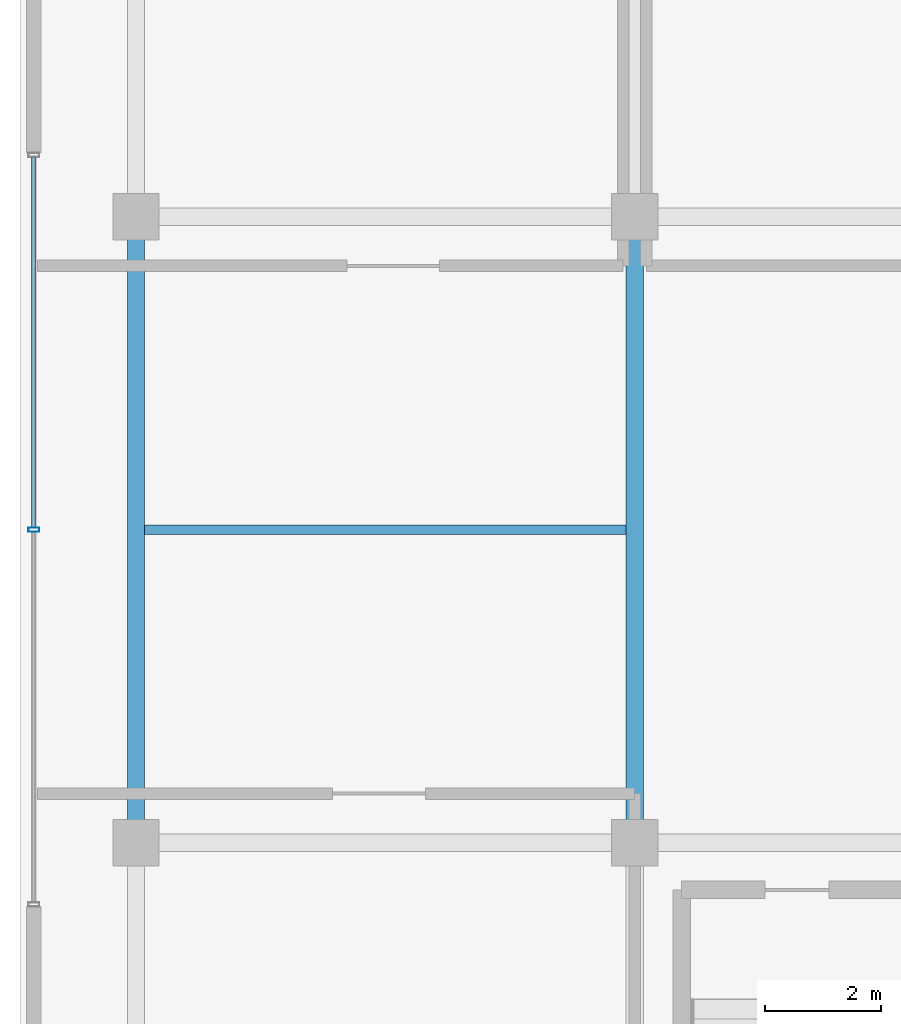
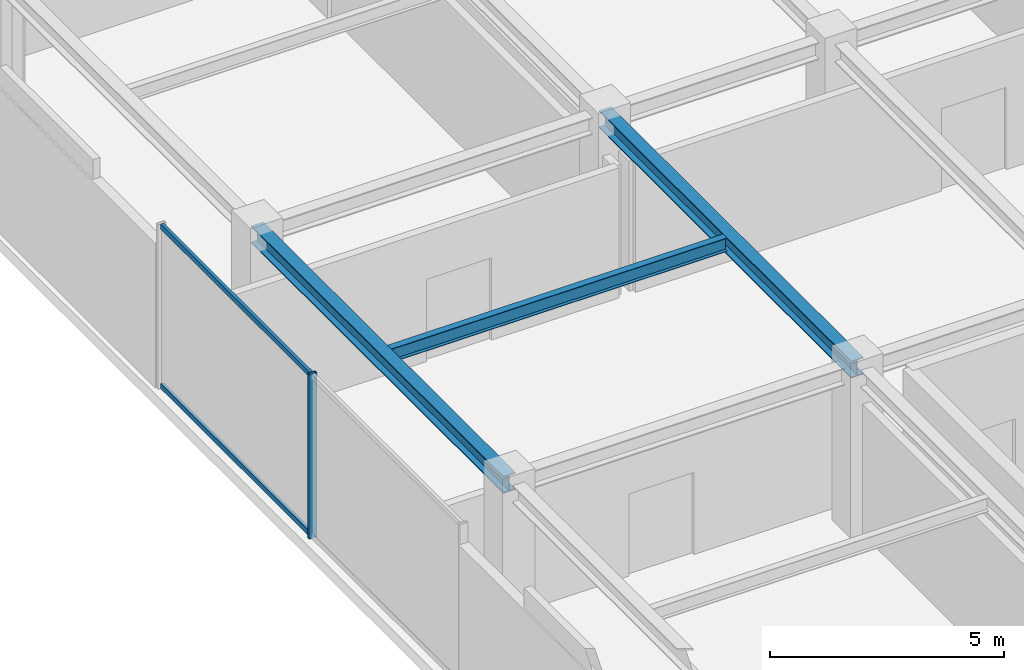
# One storey, part 6 of 18: 3 beams, 3 members, 1 element without a shape of its own.
"""IFC4 building model written with IfcOpenShell, lengths in metres."""

from ifc_helpers import new_model, si_unit, direction, frame, origin, origin_2d, place, context, subcontext, project, spatial, hollow_rectangle, i_section, extrude, source, transform, mapped, material, material_profile, profile_set, type_object, element, aggregate, save


model = new_model("IFC4")

# Units and contexts
model_context = context("Model", 3, precision=1e-05, world=origin(), true_north=direction((0.0, 1.0)))
body_context = subcontext(model_context, "Body", "Model", "MODEL_VIEW")
ifc_project = project(units=[si_unit("LENGTHUNIT", "METRE"), si_unit("AREAUNIT", "SQUARE_METRE"), si_unit("VOLUMEUNIT", "CUBIC_METRE"), si_unit("PLANEANGLEUNIT", "RADIAN"), si_unit("MASSUNIT", "GRAM", prefix="KILO")], contexts=[model_context])

# Site, building, storey
site_placement = place(None, origin())
site = spatial("IfcSite", under=ifc_project, at=site_placement, CompositionType="ELEMENT")
building_placement = place(site_placement, origin())
building = spatial("IfcBuilding", under=site, at=building_placement, Name="Nahalor Promenade Grand Hotel", CompositionType="ELEMENT")
storey_placement = place(building_placement, frame((0.0, 0.0, 366.25)))
storey = spatial("IfcBuildingStorey", under=building, at=storey_placement, Name="L93", CompositionType="ELEMENT", Elevation=366.25)

# Beams
ifc_material_1 = material(Name="Steel S355JR", Category="steel")
ifc_material_profile_1 = material_profile(ifc_material_1, i_section(OverallWidth=0.3, OverallDepth=0.45, WebThickness=0.014, FlangeThickness=0.026, at=origin_2d()), Name="HEB 450")
ifc_profile_set_1 = profile_set([ifc_material_profile_1], Name="Steel S355JR")
beam_type_1 = type_object("IfcBeamType", Name="Beam-Girder-HEB450", PredefinedType="BEAM", material=ifc_profile_set_1)
shared_shape_1 = source(origin(), body_context, "Body", "SweptSolid", [
    extrude(i_section(OverallWidth=0.3, OverallDepth=0.45, WebThickness=0.014, FlangeThickness=0.026, at=origin_2d()), origin(), (0.0, 0.0, 1.0), 10.7998046875),
])
for number, where, z_axis, x_axis, name in (
    (1, (-17.0, -5.39990234375, 4.074951171875), (0.0, 1.0, 0.0), (-1.0, 0.0, 0.0), "BM-L93-GY-0-1"),
    (2, (-8.39990234375, -5.39990234375, 4.074951171875), (0.0, 1.0, 0.0), (-1.0, 0.0, 0.0), "BM-L93-GY-1-1"),
):
    element("IfcBeam", number, at=place(storey_placement, frame(where, z_axis=z_axis, x_axis=x_axis)), inside=storey, type_object=beam_type_1, Name=name, PredefinedType="BEAM", context=body_context, shape_type="MappedRepresentation", body=[
        mapped(shared_shape_1, transform((0.0, 0.0, 0.0), scale=1.0)),
    ])
ifc_material_profile_2 = material_profile(ifc_material_1, i_section(OverallWidth=0.17, OverallDepth=0.36, WebThickness=0.008, FlangeThickness=0.0127, at=origin_2d()), Name="IPE 360")
ifc_profile_set_2 = profile_set([ifc_material_profile_2], Name="Steel S355JR")
beam_type_2 = type_object("IfcBeamType", Name="Beam-Joist-IPE360", PredefinedType="JOIST", material=ifc_profile_set_2)
shared_shape_2 = source(origin(), body_context, "Body", "SweptSolid", [
    extrude(i_section(OverallWidth=0.17, OverallDepth=0.36, WebThickness=0.008, FlangeThickness=0.0127, at=origin_2d()), origin(), (0.0, 0.0, 1.0), 8.300048828125),
])
beam_placement = place(storey_placement, frame((-16.85009765625, 0.0, 4.1201171875), z_axis=(1.0, 0.0, 0.0), x_axis=(0.0, 1.0, 0.0)))
element("IfcBeam", 3, at=beam_placement, inside=storey, type_object=beam_type_2, Name="BM-L93-JSC-0", PredefinedType="JOIST", context=body_context, shape_type="MappedRepresentation", body=[
    mapped(shared_shape_2, transform((0.0, 0.0, 0.0), scale=1.0)),
])

# Curtain wall, members
ifc_material_2 = material(Name="Anodised Bronze Aluminium EN AW-6063 T6", Category="aluminium")
curtain_wall_type = type_object("IfcCurtainWallType", Name="CW6 Crown Botanical Conservatory Curtain Wall", PredefinedType="USERDEFINED", material=ifc_material_2)
curtain_wall_placement = place(storey_placement, origin())
curtain_wall = element("IfcCurtainWall", 4, at=curtain_wall_placement, inside=storey, type_object=curtain_wall_type, Name="L93 Curtain Wall CW-L93-W", ObjectType="UNITISED_CURTAIN_WALL", PredefinedType="USERDEFINED")
ifc_material_profile_3 = material_profile(ifc_material_2, hollow_rectangle(XDim=0.075, YDim=0.135, WallThickness=0.004, at=origin_2d()), Name="CWT 75x135x4")
ifc_profile_set_3 = profile_set([ifc_material_profile_3], Name="Anodised Bronze Aluminium EN AW-6063 T6")
member_type_1 = type_object("IfcMemberType", Name="CWT6 Conservatory Transom 75x135", PredefinedType="USERDEFINED", material=ifc_profile_set_3)
shared_shape_3 = source(origin(), body_context, "Body", "SweptSolid", [
    extrude(hollow_rectangle(XDim=0.075, YDim=0.135, WallThickness=0.004, at=origin_2d()), origin(), (0.0, 0.0, 1.0), 6.387451171875),
])
member_1_placement = place(storey_placement, frame((-18.760009765625, 0.03759765625, 0.0673828125), z_axis=(0.0, 1.0, 0.0), x_axis=(-1.0, 0.0, 0.0)))
member_1 = element("IfcMember", 5, at=member_1_placement, type_object=member_type_1, Name="CW-L93-W Transom 1-0", ObjectType="TRANSOM", PredefinedType="USERDEFINED", context=body_context, shape_type="MappedRepresentation", body=[
    mapped(shared_shape_3, transform((0.0, 0.0, 0.0), scale=1.0)),
])
member_2_placement = place(storey_placement, frame((-18.760009765625, 0.03759765625, 4.232421875), z_axis=(0.0, 1.0, 0.0), x_axis=(-1.0, 0.0, 0.0)))
member_2 = element("IfcMember", 6, at=member_2_placement, type_object=member_type_1, Name="CW-L93-W Transom 1-1", ObjectType="TRANSOM", PredefinedType="USERDEFINED", context=body_context, shape_type="MappedRepresentation", body=[
    mapped(shared_shape_3, transform((0.0, 0.0, 0.0), scale=1.0)),
])
ifc_material_profile_4 = material_profile(ifc_material_2, hollow_rectangle(XDim=0.075, YDim=0.19, WallThickness=0.005, at=origin_2d()), Name="CWM 75x190x5")
ifc_profile_set_4 = profile_set([ifc_material_profile_4], Name="Anodised Bronze Aluminium EN AW-6063 T6")
member_type_2 = type_object("IfcMemberType", Name="CWM6 Conservatory Bronze Mullion 75x190", PredefinedType="MULLION", material=ifc_profile_set_4)
shared_shape_4 = source(origin(), body_context, "Body", "SweptSolid", [
    extrude(hollow_rectangle(XDim=0.075, YDim=0.19, WallThickness=0.005, at=origin_2d()), origin(), (0.0, 0.0, 1.0), 4.300048828125),
])
member_3_placement = place(storey_placement, frame((-18.760009765625, 0.0, 0.0), z_axis=(0.0, 0.0, 1.0), x_axis=(0.0, 1.0, 0.0)))
member_3 = element("IfcMember", 7, at=member_3_placement, type_object=member_type_2, Name="CW-L93-W Mullion 1", PredefinedType="MULLION", context=body_context, shape_type="MappedRepresentation", body=[
    mapped(shared_shape_4, transform((0.0, 0.0, 0.0), scale=1.0)),
])
aggregate(curtain_wall, [member_3, member_1, member_2])

save(model, "model.ifc")
